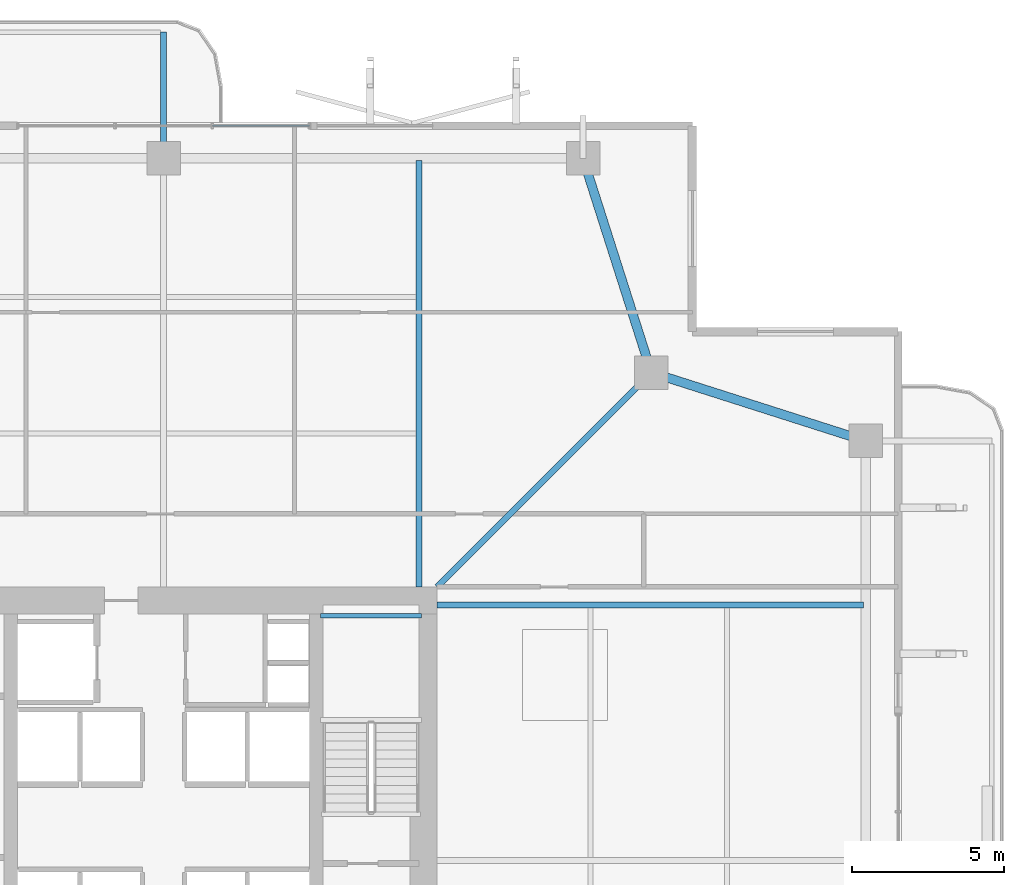
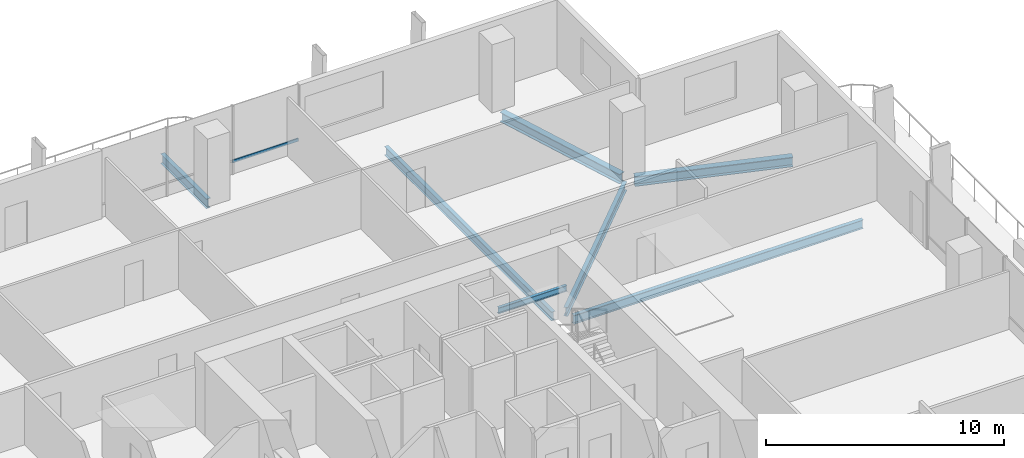
# One storey, part 14 of 24: 7 beams, 1 member, 1 element without a shape of its own.
"""IFC4 building model written with IfcOpenShell, lengths in metres."""

from ifc_helpers import new_model, si_unit, direction, frame, origin, origin_2d, place, context, subcontext, project, spatial, hollow_rectangle, i_section, extrude, material, layer, layer_set, material_profile, profile_set, type_object, element, aggregate, save


model = new_model("IFC4")

# Units and contexts
model_context = context("Model", 3, precision=1e-05, world=origin(), true_north=direction((0.0, 1.0)))
body_context = subcontext(model_context, "Body", "Model", "MODEL_VIEW")
ifc_project = project(units=[si_unit("LENGTHUNIT", "METRE"), si_unit("AREAUNIT", "SQUARE_METRE"), si_unit("VOLUMEUNIT", "CUBIC_METRE"), si_unit("PLANEANGLEUNIT", "RADIAN"), si_unit("MASSUNIT", "GRAM", prefix="KILO")], contexts=[model_context])

# Site, building, storey
site_placement = place(None, origin())
site = spatial("IfcSite", under=ifc_project, at=site_placement, CompositionType="ELEMENT")
building_placement = place(site_placement, origin())
building = spatial("IfcBuilding", under=site, at=building_placement, Name="Belovzor Exchange Tower", CompositionType="ELEMENT")
storey_placement = place(building_placement, frame((0.0, 0.0, 145.800048828125)))
storey = spatial("IfcBuildingStorey", under=building, at=storey_placement, Name="L35", CompositionType="ELEMENT", Elevation=145.800048828125)

# Beams
ifc_material_1 = material(Name="Steel S355", Category="steel")
ifc_material_profile_1 = material_profile(ifc_material_1, i_section(OverallWidth=0.199951171875, OverallDepth=0.5, WebThickness=0.01025390625, FlangeThickness=0.01611328125, at=origin_2d()))
ifc_profile_set_1 = profile_set([ifc_material_profile_1], Name="Steel S355")
beam_type_1 = type_object("IfcBeamType", Name="Planted Balcony Cantilever Beam IPE 500", PredefinedType="BEAM", material=ifc_profile_set_1)
beam_1_placement = place(storey_placement, frame((28.800048828125, 52.202880859375, -0.505126953125), z_axis=(0.0, 1.0, 0.0), x_axis=(-1.0, 0.0, 0.0)))
element("IfcBeam", 1, at=beam_1_placement, inside=storey, type_object=beam_type_1, Name="BC-500 Planted Balcony Cantilever Beam IPE 500", PredefinedType="BEAM", context=body_context, shape_type="SweptSolid", body=[
    extrude(i_section(OverallWidth=0.199951171875, OverallDepth=0.5, WebThickness=0.01025390625, FlangeThickness=0.01611328125, at=origin_2d()), origin(), (0.0, 0.0, 1.0), 3.85009765625),
])
ifc_material_2 = material(Name="Steel S355", Category="steel")
ifc_material_profile_2 = material_profile(ifc_material_2, i_section(OverallWidth=0.14990234375, OverallDepth=0.300048828125, WebThickness=0.007080078125, FlangeThickness=0.0107421875, at=origin_2d()))
ifc_profile_set_2 = profile_set([ifc_material_profile_2], Name="Steel S355")
beam_type_2 = type_object("IfcBeamType", Name="Secondary Trim Floor Joist IPE 300", PredefinedType="BEAM", material=ifc_profile_set_2)
beam_2_placement = place(storey_placement, frame((37.280029296875, 36.85009765625, 1.52490234375), z_axis=(-1.0, 0.0, 0.0), x_axis=(0.0, -1.0, 0.0)))
element("IfcBeam", 2, at=beam_2_placement, inside=storey, type_object=beam_type_2, Name="FJ-300 Secondary Trim Floor Joist IPE 300", PredefinedType="BEAM", context=body_context, shape_type="SweptSolid", body=[
    extrude(i_section(OverallWidth=0.14990234375, OverallDepth=0.300048828125, WebThickness=0.007080078125, FlangeThickness=0.0107421875, at=origin_2d()), origin(), (0.0, 0.0, 1.0), 3.31005859375),
])

# Curtain wall, member
ifc_material_3 = material(Name="Anodised Aluminium Framing", Category="aluminium")
ifc_layer = layer(ifc_material_3, 0.179931640625)
ifc_layer_set = layer_set([ifc_layer], Name="Anodised Aluminium Framing")
curtain_wall_type = type_object("IfcCurtainWallType", Name="Recessed Loggia Low-Iron Triple-Glazed Curtain Wall", PredefinedType="NOTDEFINED", material=ifc_layer_set)
curtain_wall_placement = place(storey_placement, origin())
curtain_wall = element("IfcCurtainWall", 3, at=curtain_wall_placement, inside=storey, type_object=curtain_wall_type, Name="CW3 Recessed Loggia Low-Iron Triple-Glazed Curtain Wall L35", PredefinedType="NOTDEFINED")
ifc_material_4 = material(Name="Steel S355", Category="steel")
ifc_material_profile_3 = material_profile(ifc_material_4, hollow_rectangle(XDim=0.06005859375, YDim=0.14990234375, WallThickness=0.00390625, at=origin_2d()))
ifc_profile_set_3 = profile_set([ifc_material_profile_3], Name="Steel S355")
member_type = type_object("IfcMemberType", Name="Thermally Broken Curtain Wall Transom 150x60", PredefinedType="USERDEFINED", material=ifc_profile_set_3)
member_placement = place(storey_placement, frame((30.407958984375, 52.969970703125, 0.62890625), z_axis=(1.0, 0.0, 0.0), x_axis=(0.0, 1.0, 0.0)))
member = element("IfcMember", 4, at=member_placement, type_object=member_type, Name="CW-T150 Curtain Wall Transom 3", ObjectType="TRANSOM", PredefinedType="USERDEFINED", context=body_context, shape_type="SweptSolid", body=[
    extrude(hollow_rectangle(XDim=0.06005859375, YDim=0.14990234375, WallThickness=0.00390625, at=origin_2d()), origin(), (0.0, 0.0, 1.0), 3.18408203125),
])
aggregate(curtain_wall, [member])

# Beams
ifc_material_5 = material(Name="Steel S355", Category="steel")
ifc_material_profile_4 = material_profile(ifc_material_5, i_section(OverallWidth=0.18994140625, OverallDepth=0.449951171875, WebThickness=0.009521484375, FlangeThickness=0.0146484375, at=origin_2d()))
ifc_profile_set_4 = profile_set([ifc_material_profile_4], Name="Steel S355")
beam_type_3 = type_object("IfcBeamType", Name="Zone 2-4 Radial Composite Floor Beam IPE 450", PredefinedType="BEAM", material=ifc_profile_set_4)
for number, where, z_axis, x_axis, name in (
    (5, (37.199951171875, 37.800048828125, -0.47998046875), (0.0, 1.0, 0.0), (-1.0, 0.0, 0.0), "FB-450 Zone 2-4 Radial Composite Floor Beam IPE 450"),
    (6, (37.800048828125, 37.199951171875, -0.47998046875), (1.0, 0.0, 0.0), (0.0, 1.0, 0.0), "FB-450 Zone 2-4 Radial Composite Floor Beam IPE 450"),
):
    element("IfcBeam", number, at=place(storey_placement, frame(where, z_axis=z_axis, x_axis=x_axis)), inside=storey, type_object=beam_type_3, Name=name, PredefinedType="BEAM", context=body_context, shape_type="SweptSolid", body=[
        extrude(i_section(OverallWidth=0.18994140625, OverallDepth=0.449951171875, WebThickness=0.009521484375, FlangeThickness=0.0146484375, at=origin_2d()), origin(), (0.0, 0.0, 1.0), 14.02490234375),
    ])
beam_3_placement = place(storey_placement, frame((37.800048828125, 37.800048828125, -0.47998046875), z_axis=(0.707106781187, 0.707106781187, 0.0), x_axis=(-0.707106781187, 0.707106781187, 0.0)))
element("IfcBeam", 7, at=beam_3_placement, inside=storey, type_object=beam_type_3, Name="FB-450 Zone 2-4 Radial Composite Floor Beam IPE 450", PredefinedType="BEAM", context=body_context, shape_type="SweptSolid", body=[
    extrude(i_section(OverallWidth=0.18994140625, OverallDepth=0.449951171875, WebThickness=0.009521484375, FlangeThickness=0.0146484375, at=origin_2d()), origin(), (0.0, 0.0, 1.0), 9.5810546875),
])
ifc_material_6 = material(Name="Steel S355", Category="steel")
ifc_material_profile_5 = material_profile(ifc_material_6, i_section(OverallWidth=0.300048828125, OverallDepth=0.5, WebThickness=0.014404296875, FlangeThickness=0.028076171875, at=origin_2d()))
ifc_profile_set_5 = profile_set([ifc_material_profile_5], Name="Steel S355")
beam_type_4 = type_object("IfcBeamType", Name="Zone 3 Waist Primary Girder HEB 500", PredefinedType="BEAM", material=ifc_profile_set_5)
for number, where, z_axis, x_axis, name in (
    (8, (51.612060546875, 42.69189453125, -0.505126953125), (-0.952661203756, 0.304033930439, 0.0), (-0.304033930439, -0.952661203756, 0.0), "FG-Z3 Zone 3 Waist Primary Girder HEB 500"),
    (9, (44.758056640625, 45.137939453125, -0.505126953125), (-0.304033930439, 0.952661203756, 0.0), (-0.952661203756, -0.304033930439, 0.0), "FG-Z3 Zone 3 Waist Primary Girder HEB 500"),
):
    element("IfcBeam", number, at=place(storey_placement, frame(where, z_axis=z_axis, x_axis=x_axis)), inside=storey, type_object=beam_type_4, Name=name, PredefinedType="BEAM", context=body_context, shape_type="SweptSolid", body=[
        extrude(i_section(OverallWidth=0.300048828125, OverallDepth=0.5, WebThickness=0.014404296875, FlangeThickness=0.028076171875, at=origin_2d()), origin(), (0.0, 0.0, 1.0), 6.7958984375),
    ])

save(model, "model.ifc")
